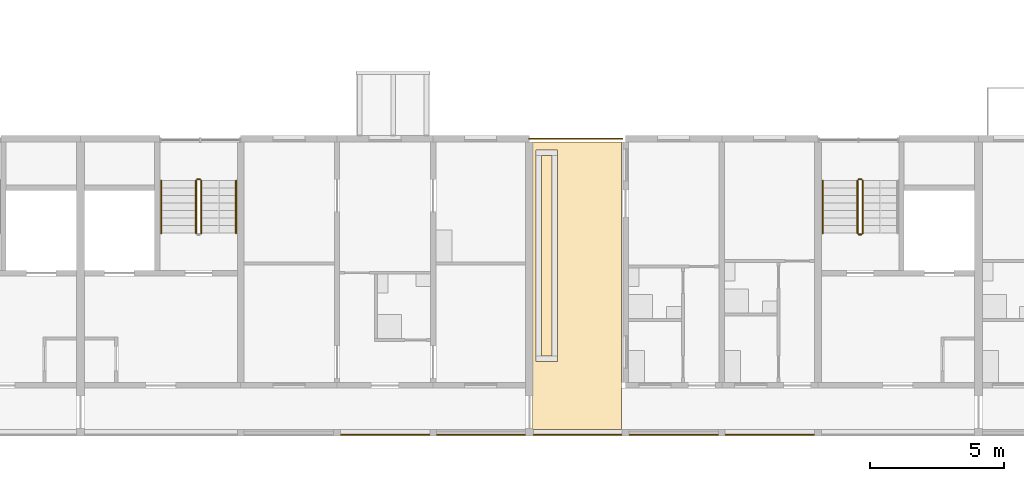
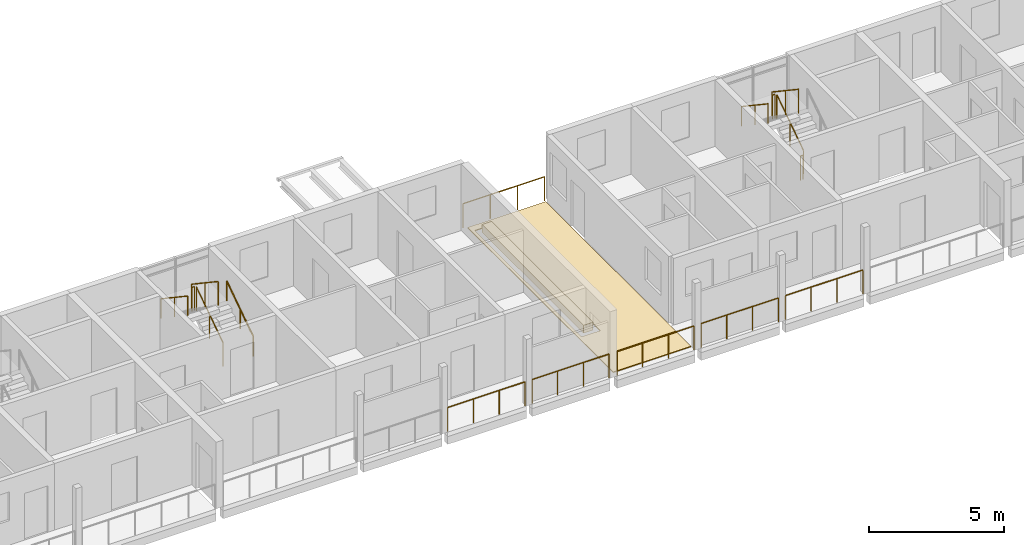
# One storey, part 64 of 78: 16 railings, 3 coverings.
"""IFC4 building model written with IfcOpenShell, lengths in metres."""

from ifc_helpers import new_model, si_unit, direction, frame, origin, origin_2d, place, context, subcontext, project, spatial, polyline, circle, outline, extrude, material, layer, layer_set, type_object, element, save


model = new_model("IFC4")

# Units and contexts
model_context = context("Model", 3, precision=1e-05, world=origin(), true_north=direction((0.0, 1.0)))
body_context = subcontext(model_context, "Body", "Model", "MODEL_VIEW")
ifc_project = project(units=[si_unit("LENGTHUNIT", "METRE"), si_unit("AREAUNIT", "SQUARE_METRE"), si_unit("VOLUMEUNIT", "CUBIC_METRE"), si_unit("PLANEANGLEUNIT", "RADIAN"), si_unit("MASSUNIT", "GRAM", prefix="KILO")], contexts=[model_context])

# Site, building, storey
site_placement = place(None, origin())
site = spatial("IfcSite", under=ifc_project, at=site_placement, CompositionType="ELEMENT")
building_placement = place(site_placement, origin())
building = spatial("IfcBuilding", under=site, at=building_placement, Name="Ridgestep Commons", CompositionType="ELEMENT")
storey_placement = place(building_placement, frame((0.0, 0.0, 30.0)))
storey = spatial("IfcBuildingStorey", under=building, at=storey_placement, Name="L10", CompositionType="ELEMENT", Elevation=30.0)

# Railings
ifc_material_1 = material(Name="Structural steel S355JR", Category="steel")
railing_type_1 = type_object("IfcRailingType", Name="Guard 1100", PredefinedType="GUARDRAIL", material=ifc_material_1)
railing_1_placement = place(storey_placement, frame((62.39990234375, 22.875, 0.0)))
element("IfcRailing", 1, at=railing_1_placement, inside=storey, type_object=railing_type_1, Name="Guard TD-A4R1-GD", PredefinedType="GUARDRAIL", context=body_context, shape_type="SweptSolid", body=[
    extrude(circle(Radius=0.02392578125, at=origin_2d()), frame((0.0, 0.0, 1.076171875), z_axis=(1.0, 0.0, 0.0), x_axis=(0.0, 1.0, 0.0)), (0.0, 0.0, 1.0), 3.47900390625),
    extrude(circle(Radius=0.02099609375, at=origin_2d()), origin(), (0.0, 0.0, 1.0), 1.052001953125),
    extrude(circle(Radius=0.02099609375, at=origin_2d()), frame((1.15966796875, 0.0, 0.0)), (0.0, 0.0, 1.0), 1.052001953125),
    extrude(circle(Radius=0.02099609375, at=origin_2d()), frame((2.3193359375, 0.0, 0.0)), (0.0, 0.0, 1.0), 1.052001953125),
    extrude(circle(Radius=0.02099609375, at=origin_2d()), frame((3.47900390625, 0.0, 0.0)), (0.0, 0.0, 1.0), 1.052001953125),
])
railing_2_placement = place(storey_placement, frame((55.345947265625, 11.800048828125, 0.0)))
element("IfcRailing", 2, at=railing_2_placement, inside=storey, type_object=railing_type_1, Name="Gallery guard A 10.11", PredefinedType="GUARDRAIL", context=body_context, shape_type="SweptSolid", body=[
    extrude(circle(Radius=0.02392578125, at=origin_2d()), frame((0.0, 0.0, 1.076171875), z_axis=(1.0, 0.0, 0.0), x_axis=(0.0, 1.0, 0.0)), (0.0, 0.0, 1.0), 3.30810546875),
    extrude(circle(Radius=0.02099609375, at=origin_2d()), origin(), (0.0, 0.0, 1.0), 1.052001953125),
    extrude(circle(Radius=0.02099609375, at=origin_2d()), frame((1.102783203125, 0.0, 0.0)), (0.0, 0.0, 1.0), 1.052001953125),
    extrude(circle(Radius=0.02099609375, at=origin_2d()), frame((2.205322265625, 0.0, 0.0)), (0.0, 0.0, 1.0), 1.052001953125),
    extrude(circle(Radius=0.02099609375, at=origin_2d()), frame((3.30810546875, 0.0, 0.0)), (0.0, 0.0, 1.0), 1.052001953125),
])
for number, where, name in (
    (3, (58.946044921875, 11.800048828125, 0.0), "Gallery guard A 10.12"),
    (4, (62.571044921875, 11.800048828125, 0.0), "Gallery guard A 10.13"),
):
    element("IfcRailing", number, at=place(storey_placement, frame(where)), inside=storey, type_object=railing_type_1, Name=name, PredefinedType="GUARDRAIL", context=body_context, shape_type="SweptSolid", body=[
        extrude(circle(Radius=0.02392578125, at=origin_2d()), frame((0.0, 0.0, 1.076171875), z_axis=(1.0, 0.0, 0.0), x_axis=(0.0, 1.0, 0.0)), (0.0, 0.0, 1.0), 3.282958984375),
        extrude(circle(Radius=0.02099609375, at=origin_2d()), origin(), (0.0, 0.0, 1.0), 1.052001953125),
        extrude(circle(Radius=0.02099609375, at=origin_2d()), frame((1.09423828125, 0.0, 0.0)), (0.0, 0.0, 1.0), 1.052001953125),
        extrude(circle(Radius=0.02099609375, at=origin_2d()), frame((2.188720703125, 0.0, 0.0)), (0.0, 0.0, 1.0), 1.052001953125),
        extrude(circle(Radius=0.02099609375, at=origin_2d()), frame((3.282958984375, 0.0, 0.0)), (0.0, 0.0, 1.0), 1.052001953125),
    ])
railing_3_placement = place(storey_placement, frame((66.14599609375, 11.800048828125, 0.0)))
element("IfcRailing", 5, at=railing_3_placement, inside=storey, type_object=railing_type_1, Name="Gallery guard A 10.14", PredefinedType="GUARDRAIL", context=body_context, shape_type="SweptSolid", body=[
    extrude(circle(Radius=0.02392578125, at=origin_2d()), frame((0.0, 0.0, 1.076171875), z_axis=(1.0, 0.0, 0.0), x_axis=(0.0, 1.0, 0.0)), (0.0, 0.0, 1.0), 3.30810546875),
    extrude(circle(Radius=0.02099609375, at=origin_2d()), origin(), (0.0, 0.0, 1.0), 1.052001953125),
    extrude(circle(Radius=0.02099609375, at=origin_2d()), frame((1.102783203125, 0.0, 0.0)), (0.0, 0.0, 1.0), 1.052001953125),
    extrude(circle(Radius=0.02099609375, at=origin_2d()), frame((2.205322265625, 0.0, 0.0)), (0.0, 0.0, 1.0), 1.052001953125),
    extrude(circle(Radius=0.02099609375, at=origin_2d()), frame((3.30810546875, 0.0, 0.0)), (0.0, 0.0, 1.0), 1.052001953125),
])
railing_4_placement = place(storey_placement, frame((69.74609375, 11.800048828125, 0.0)))
element("IfcRailing", 6, at=railing_4_placement, inside=storey, type_object=railing_type_1, Name="Gallery guard A 10.15", PredefinedType="GUARDRAIL", context=body_context, shape_type="SweptSolid", body=[
    extrude(circle(Radius=0.02392578125, at=origin_2d()), frame((0.0, 0.0, 1.076171875), z_axis=(1.0, 0.0, 0.0), x_axis=(0.0, 1.0, 0.0)), (0.0, 0.0, 1.0), 3.307861328125),
    extrude(circle(Radius=0.02099609375, at=origin_2d()), origin(), (0.0, 0.0, 1.0), 1.052001953125),
    extrude(circle(Radius=0.02099609375, at=origin_2d()), frame((1.1025390625, 0.0, 0.0)), (0.0, 0.0, 1.0), 1.052001953125),
    extrude(circle(Radius=0.02099609375, at=origin_2d()), frame((2.205322265625, 0.0, 0.0)), (0.0, 0.0, 1.0), 1.052001953125),
    extrude(circle(Radius=0.02099609375, at=origin_2d()), frame((3.307861328125, 0.0, 0.0)), (0.0, 0.0, 1.0), 1.052001953125),
])

# Covering
ifc_material_2 = material(Name="Planting soil")
ifc_layer_1 = layer(ifc_material_2, 0.35009765625)
ifc_layer_set_1 = layer_set([ifc_layer_1], Name="Planting soil 350")
covering_type_1 = type_object("IfcCoveringType", Name="Planting soil 350", PredefinedType="FLOORING", material=ifc_layer_set_1)
covering_1_placement = place(storey_placement, frame((0.0, 0.0, 0.010009765625)))
element("IfcCovering", 7, at=covering_1_placement, inside=storey, type_object=covering_type_1, Name="Planting soil A4R1", PredefinedType="FLOORING", context=body_context, shape_type="SweptSolid", body=[
    extrude(outline(polyline([(62.85009765625, 14.75), (63.25, 14.75), (63.25, 22.25), (62.85009765625, 22.25), (62.85009765625, 14.75)])), origin(), (0.0, 0.0, 1.0), 0.35009765625),
])

# Railings
ifc_material_3 = material(Name="Structural steel S355JR", Category="steel")
railing_type_2 = type_object("IfcRailingType", Name="Stair guard 1100", PredefinedType="GUARDRAIL", material=ifc_material_3)
railing_5_placement = place(storey_placement, frame((50.125, 19.35009765625, 0.1875)))
element("IfcRailing", 8, at=railing_5_placement, inside=storey, type_object=railing_type_2, Name="L10 A3C stair guard 1", PredefinedType="GUARDRAIL", context=body_context, shape_type="SweptSolid", body=[
    extrude(circle(Radius=0.02392578125, at=origin_2d()), frame((0.0, 0.0, 1.076171875), z_axis=(0.0, 0.830902050051, 0.556418712142), x_axis=(-1.0, 0.0, 0.0)), (0.0, 0.0, 1.0), 2.35888671875),
    extrude(circle(Radius=0.02099609375, at=origin_2d()), origin(), (0.0, 0.0, 1.0), 1.052001953125),
    extrude(circle(Radius=0.02099609375, at=origin_2d()), frame((0.0, 0.97998046875, 0.65625)), (0.0, 0.0, 1.0), 1.052001953125),
    extrude(circle(Radius=0.02099609375, at=origin_2d()), frame((0.0, 1.9599609375, 1.3125)), (0.0, 0.0, 1.0), 1.052001953125),
])
railing_6_placement = place(storey_placement, frame((50.074951171875, 21.360107421875, 1.5)))
element("IfcRailing", 9, at=railing_6_placement, inside=storey, type_object=railing_type_2, Name="L10 A3C stair guard 2", PredefinedType="GUARDRAIL", context=body_context, shape_type="SweptSolid", body=[
    extrude(circle(Radius=0.02392578125, at=origin_2d()), frame((0.0, 0.0, 1.076171875), z_axis=(-1.0, 0.0, 0.0), x_axis=(0.0, -1.0, 0.0)), (0.0, 0.0, 1.0), 0.099853515625),
    extrude(circle(Radius=0.02099609375, at=origin_2d()), origin(), (0.0, 0.0, 1.0), 1.052001953125),
    extrude(circle(Radius=0.02099609375, at=origin_2d()), frame((-0.099853515625, 0.0, 0.0)), (0.0, 0.0, 1.0), 1.052001953125),
])
railing_7_placement = place(storey_placement, frame((49.925048828125, 21.31005859375, 1.6875)))
element("IfcRailing", 10, at=railing_7_placement, inside=storey, type_object=railing_type_2, Name="L10 A3C stair guard 3", PredefinedType="GUARDRAIL", context=body_context, shape_type="SweptSolid", body=[
    extrude(circle(Radius=0.02392578125, at=origin_2d()), frame((0.0, 0.0, 1.076171875), z_axis=(0.0, -0.830902050051, 0.556418712142), x_axis=(1.0, 0.0, 0.0)), (0.0, 0.0, 1.0), 2.35888671875),
    extrude(circle(Radius=0.02099609375, at=origin_2d()), origin(), (0.0, 0.0, 1.0), 1.052001953125),
    extrude(circle(Radius=0.02099609375, at=origin_2d()), frame((0.0, -0.97998046875, 0.65625)), (0.0, 0.0, 1.0), 1.052001953125),
    extrude(circle(Radius=0.02099609375, at=origin_2d()), frame((0.0, -1.9599609375, 1.3125)), (0.0, 0.0, 1.0), 1.052001953125),
])
railing_8_placement = place(storey_placement, frame((74.875, 19.35009765625, 0.1875)))
element("IfcRailing", 11, at=railing_8_placement, inside=storey, type_object=railing_type_2, Name="L10 A4C stair guard 1", PredefinedType="GUARDRAIL", context=body_context, shape_type="SweptSolid", body=[
    extrude(circle(Radius=0.02392578125, at=origin_2d()), frame((0.0, 0.0, 1.076171875), z_axis=(0.0, 0.830902050051, 0.556418712142), x_axis=(-1.0, 0.0, 0.0)), (0.0, 0.0, 1.0), 2.35888671875),
    extrude(circle(Radius=0.02099609375, at=origin_2d()), origin(), (0.0, 0.0, 1.0), 1.052001953125),
    extrude(circle(Radius=0.02099609375, at=origin_2d()), frame((0.0, 0.97998046875, 0.65625)), (0.0, 0.0, 1.0), 1.052001953125),
    extrude(circle(Radius=0.02099609375, at=origin_2d()), frame((0.0, 1.9599609375, 1.3125)), (0.0, 0.0, 1.0), 1.052001953125),
])
railing_9_placement = place(storey_placement, frame((74.824951171875, 21.360107421875, 1.5)))
element("IfcRailing", 12, at=railing_9_placement, inside=storey, type_object=railing_type_2, Name="L10 A4C stair guard 2", PredefinedType="GUARDRAIL", context=body_context, shape_type="SweptSolid", body=[
    extrude(circle(Radius=0.02392578125, at=origin_2d()), frame((0.0, 0.0, 1.076171875), z_axis=(-1.0, 0.0, 0.0), x_axis=(0.0, -1.0, 0.0)), (0.0, 0.0, 1.0), 0.099853515625),
    extrude(circle(Radius=0.02099609375, at=origin_2d()), origin(), (0.0, 0.0, 1.0), 1.052001953125),
    extrude(circle(Radius=0.02099609375, at=origin_2d()), frame((-0.099853515625, 0.0, 0.0)), (0.0, 0.0, 1.0), 1.052001953125),
])
railing_10_placement = place(storey_placement, frame((74.675048828125, 21.31005859375, 1.6875)))
element("IfcRailing", 13, at=railing_10_placement, inside=storey, type_object=railing_type_2, Name="L10 A4C stair guard 3", PredefinedType="GUARDRAIL", context=body_context, shape_type="SweptSolid", body=[
    extrude(circle(Radius=0.02392578125, at=origin_2d()), frame((0.0, 0.0, 1.076171875), z_axis=(0.0, -0.830902050051, 0.556418712142), x_axis=(1.0, 0.0, 0.0)), (0.0, 0.0, 1.0), 2.35888671875),
    extrude(circle(Radius=0.02099609375, at=origin_2d()), origin(), (0.0, 0.0, 1.0), 1.052001953125),
    extrude(circle(Radius=0.02099609375, at=origin_2d()), frame((0.0, -0.97998046875, 0.65625)), (0.0, 0.0, 1.0), 1.052001953125),
    extrude(circle(Radius=0.02099609375, at=origin_2d()), frame((0.0, -1.9599609375, 1.3125)), (0.0, 0.0, 1.0), 1.052001953125),
])
railing_11_placement = place(storey_placement, frame((74.824951171875, 19.300048828125, 0.0)))
element("IfcRailing", 14, at=railing_11_placement, inside=storey, type_object=railing_type_2, Name="L10 A4C stair guard 4", PredefinedType="GUARDRAIL", context=body_context, shape_type="SweptSolid", body=[
    extrude(circle(Radius=0.02392578125, at=origin_2d()), frame((0.0, 0.0, 1.076171875), z_axis=(-1.0, 0.0, 0.0), x_axis=(0.0, -1.0, 0.0)), (0.0, 0.0, 1.0), 0.099853515625),
    extrude(circle(Radius=0.02099609375, at=origin_2d()), origin(), (0.0, 0.0, 1.0), 1.052001953125),
    extrude(circle(Radius=0.02099609375, at=origin_2d()), frame((-0.099853515625, 0.0, 0.0)), (0.0, 0.0, 1.0), 1.052001953125),
])
ifc_material_4 = material(Name="Structural steel S355JR", Category="steel")
railing_type_3 = type_object("IfcRailingType", Name="Stair handrail 900", PredefinedType="HANDRAIL", material=ifc_material_4)
railing_12_placement = place(storey_placement, frame((51.425048828125, 19.35009765625, 0.1875)))
element("IfcRailing", 15, at=railing_12_placement, inside=storey, type_object=railing_type_3, Name="L10 A3C stair handrail 1", PredefinedType="HANDRAIL", context=body_context, shape_type="SweptSolid", body=[
    extrude(circle(Radius=0.02392578125, at=origin_2d()), frame((0.0, 0.0, 0.8759765625), z_axis=(0.0, 0.830902050051, 0.556418712142), x_axis=(-1.0, 0.0, 0.0)), (0.0, 0.0, 1.0), 2.35888671875),
    extrude(circle(Radius=0.02099609375, at=origin_2d()), origin(), (0.0, 0.0, 1.0), 0.851806640625),
    extrude(circle(Radius=0.02099609375, at=origin_2d()), frame((0.0, 0.97998046875, 0.65625)), (0.0, 0.0, 1.0), 0.851806640625),
    extrude(circle(Radius=0.02099609375, at=origin_2d()), frame((0.0, 1.9599609375, 1.3125)), (0.0, 0.0, 1.0), 0.851806640625),
])
for number, where, name in (
    (16, (48.625, 21.31005859375, 1.6875), "L10 A3C stair handrail 2"),
    (17, (73.375, 21.31005859375, 1.6875), "L10 A4C stair handrail 2"),
):
    element("IfcRailing", number, at=place(storey_placement, frame(where)), inside=storey, type_object=railing_type_3, Name=name, PredefinedType="HANDRAIL", context=body_context, shape_type="SweptSolid", body=[
        extrude(circle(Radius=0.02392578125, at=origin_2d()), frame((0.0, 0.0, 0.8759765625), z_axis=(0.0, -0.830902050051, 0.556418712142), x_axis=(1.0, 0.0, 0.0)), (0.0, 0.0, 1.0), 2.35888671875),
        extrude(circle(Radius=0.02099609375, at=origin_2d()), origin(), (0.0, 0.0, 1.0), 0.851806640625),
        extrude(circle(Radius=0.02099609375, at=origin_2d()), frame((0.0, -0.97998046875, 0.65625)), (0.0, 0.0, 1.0), 0.851806640625),
        extrude(circle(Radius=0.02099609375, at=origin_2d()), frame((0.0, -1.9599609375, 1.3125)), (0.0, 0.0, 1.0), 0.851806640625),
    ])

# Coverings
ifc_material_5 = material(Name="Bitumen membrane, two layer")
ifc_layer_2 = layer(ifc_material_5, 0.010009765625)
ifc_layer_set_2 = layer_set([ifc_layer_2], Name="Terrace membrane 10")
covering_type_2 = type_object("IfcCoveringType", Name="Terrace membrane 10", PredefinedType="ROOFING", material=ifc_layer_set_2)
covering_2_placement = place(storey_placement, origin())
element("IfcCovering", 18, at=covering_2_placement, inside=storey, type_object=covering_type_2, Name="Terrace membrane A4R1", PredefinedType="ROOFING", context=body_context, shape_type="SweptSolid", body=[
    extrude(outline(polyline([(65.85009765625, 12.0), (65.85009765625, 22.75), (62.52490234375, 22.75), (62.52490234375, 12.0), (65.85009765625, 12.0)]), holes=[polyline([(63.449951171875, 14.550048828125), (63.449951171875, 22.449951171875), (62.64990234375, 22.449951171875), (62.64990234375, 14.550048828125), (63.449951171875, 14.550048828125)])]), origin(), (0.0, 0.0, 1.0), 0.010009765625),
])
ifc_material_6 = material(Name="Concrete paving slab", Category="concrete")
ifc_layer_3 = layer(ifc_material_6, 0.030029296875)
ifc_layer_set_3 = layer_set([ifc_layer_3], Name="Terrace paving 30")
covering_type_3 = type_object("IfcCoveringType", Name="Terrace paving 30", PredefinedType="FLOORING", material=ifc_layer_set_3)
covering_3_placement = place(storey_placement, frame((0.0, 0.0, 0.010009765625)))
element("IfcCovering", 19, at=covering_3_placement, inside=storey, type_object=covering_type_3, Name="Terrace paving A4R1", PredefinedType="FLOORING", context=body_context, shape_type="SweptSolid", body=[
    extrude(outline(polyline([(65.85009765625, 12.0), (65.85009765625, 22.75), (62.52490234375, 22.75), (62.52490234375, 12.0), (65.85009765625, 12.0)]), holes=[polyline([(63.449951171875, 14.550048828125), (63.449951171875, 22.449951171875), (62.64990234375, 22.449951171875), (62.64990234375, 14.550048828125), (63.449951171875, 14.550048828125)])]), origin(), (0.0, 0.0, 1.0), 0.030029296875),
])

save(model, "model.ifc")
